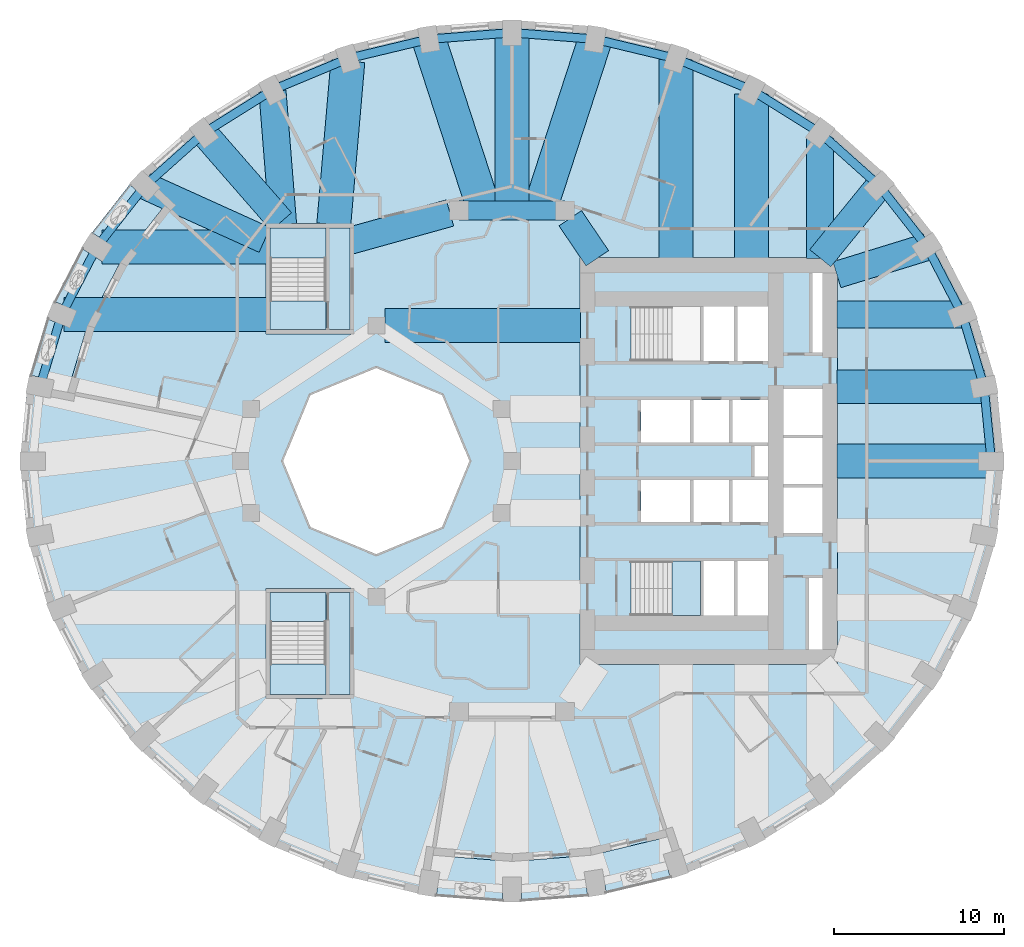
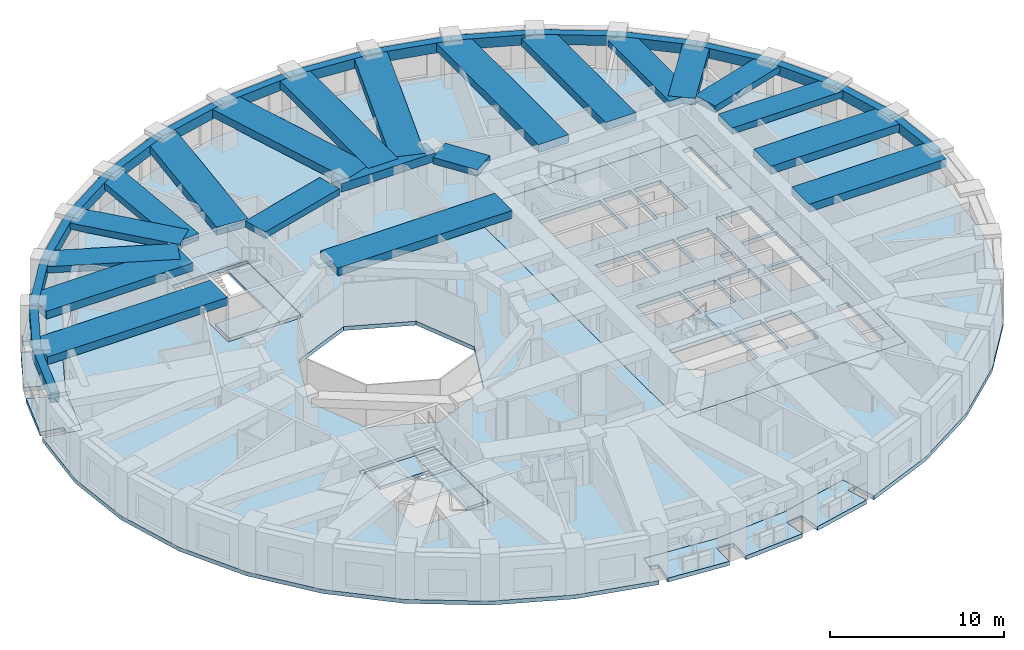
# One storey, part 2 of 13: 38 beams, 11 slabs, 3 elements without a shape of their own.
"""IFC4 building model written with IfcOpenShell, lengths in metres."""

import ifcopenshell
import ifcopenshell.guid

model = None  # the IFC model being written
_history = None  # IfcOwnerHistory: only IFC2X3 demands one
_inside = {}  # id of a spatial element -> (the spatial element, [elements in it])
_under = {}  # id of a project, library or spatial element -> (it, [spatial elements below it])
_declared = {}  # id of a project -> (the project, [libraries it declares])
_typed = {}  # id of a type object -> (the type object, [elements of that type])
_made_of = {}  # id of a material, layer set ... -> (it, [elements and type objects made of it])


def new_model(schema):
    """Start an empty IFC model of exactly this schema.

    Asked for "IFC4X3", IfcOpenShell would pick the latest addendum, in which some entities
    have other attributes; the version numbers below select the first issue.
    IFC2X3 requires an IfcOwnerHistory on every rooted entity: one is made here for all.
    """
    global model, _history
    if schema == "IFC4X3":
        model = ifcopenshell.file(schema_version=(4, 3, 0, 0))
    else:
        model = ifcopenshell.file(schema=schema)
    _inside.clear()
    _under.clear()
    _declared.clear()
    _typed.clear()
    _made_of.clear()
    _history = None
    if model.schema == "IFC2X3":
        org = make("IfcOrganization", Name="unknown")
        user = make(
            "IfcPersonAndOrganization",
            ThePerson=make("IfcPerson", FamilyName="unknown"),
            TheOrganization=org,
        )
        app = make(
            "IfcApplication",
            ApplicationDeveloper=org,
            Version="unknown",
            ApplicationFullName="unknown",
            ApplicationIdentifier="unknown",
        )
        _history = make(
            "IfcOwnerHistory",
            OwningUser=user,
            OwningApplication=app,
            ChangeAction="ADDED",
            CreationDate=0,
        )
    return model


def make(cls, **values):
    """One entity of the class cls with the attributes given. An attribute that is None is left unset."""
    return model.create_entity(
        cls, **{name: value for name, value in values.items() if value is not None}
    )


def rooted(cls, **values):
    """An entity with a GlobalId (a new one), such as an element, a storey or a relation."""
    return make(cls, GlobalId=ifcopenshell.guid.new(), OwnerHistory=_history, **values)


def si_unit(unit_type, name, prefix=None):
    """IfcSIUnit, for example si_unit("LENGTHUNIT", "METRE", prefix="MILLI")."""
    return make("IfcSIUnit", UnitType=unit_type, Prefix=prefix, Name=name)


def assignment(units):
    """IfcUnitAssignment: the units of a project."""
    return None if units is None else make("IfcUnitAssignment", Units=units)


def point(xyz):
    """IfcCartesianPoint."""
    return None if xyz is None else make("IfcCartesianPoint", Coordinates=xyz)


def direction(xyz):
    """IfcDirection."""
    return None if xyz is None else make("IfcDirection", DirectionRatios=xyz)


def frame(location, z_axis=None, x_axis=None):
    """IfcAxis2Placement3D, a coordinate frame: its origin and axes. An axis left out is left unset."""
    return make(
        "IfcAxis2Placement3D",
        Location=point(location),
        Axis=direction(z_axis),
        RefDirection=direction(x_axis),
    )


def frame_2d(location, x_axis=None):
    """IfcAxis2Placement2D, a coordinate frame in the plane: its origin and x axis."""
    return make(
        "IfcAxis2Placement2D", Location=point(location), RefDirection=direction(x_axis)
    )


def origin():
    """The frame at (0, 0, 0) with its axes left unset."""
    return frame((0.0, 0.0, 0.0))


def origin_2d():
    """The frame at (0, 0) in the plane with its x axis left unset."""
    return frame_2d((0.0, 0.0))


def place(relative_to, where):
    """IfcLocalPlacement: puts the frame where relative to a parent placement (None: the world)."""
    return make(
        "IfcLocalPlacement", PlacementRelTo=relative_to, RelativePlacement=where
    )


def context(
    kind, dimensions, precision=None, world=None, true_north=None, identifier=None
):
    """IfcGeometricRepresentationContext, for example the 3D "Model" context."""
    return make(
        "IfcGeometricRepresentationContext",
        ContextIdentifier=identifier,
        ContextType=kind,
        CoordinateSpaceDimension=dimensions,
        Precision=precision,
        WorldCoordinateSystem=world,
        TrueNorth=true_north,
    )


def subcontext(parent, identifier, kind, view, scale=None):
    """IfcGeometricRepresentationSubContext, for example "Body" below "Model"."""
    return make(
        "IfcGeometricRepresentationSubContext",
        ContextIdentifier=identifier,
        ContextType=kind,
        ParentContext=parent,
        TargetScale=scale,
        TargetView=view,
    )


def project(units=None, contexts=None):
    """IfcProject with its units and contexts."""
    return rooted(
        "IfcProject",
        Name="project",
        RepresentationContexts=contexts,
        UnitsInContext=assignment(units),
    )


def spatial(cls, under=None, at=None, **own):
    """A site, building, storey or space (cls), placed at a placement, below another one or the project."""
    s = rooted(cls, ObjectPlacement=at, **own)
    if under is not None:
        _under.setdefault(under.id(), (under, []))[1].append(s)
    return s


def polyline(points):
    """IfcPolyline through the points."""
    return make("IfcPolyline", Points=[point(p) for p in points])


def profile(cls, at=None, kind="AREA", **sizes):
    """A parametric profile (cls). Its sizes go by their IFC names, for example OverallWidth=200.0."""
    return make(cls, ProfileType=kind, Position=at, **sizes)


def rectangle(**sizes):
    """IfcRectangleProfileDef."""
    return profile("IfcRectangleProfileDef", **sizes)


def outline(outer, holes=None, kind="AREA"):
    """IfcArbitraryClosedProfileDef: a profile drawn as a closed curve; with holes, ...WithVoids."""
    if holes is None:
        return make("IfcArbitraryClosedProfileDef", ProfileType=kind, OuterCurve=outer)
    return make(
        "IfcArbitraryProfileDefWithVoids",
        ProfileType=kind,
        OuterCurve=outer,
        InnerCurves=holes,
    )


def extrude(swept, where, along, depth):
    """IfcExtrudedAreaSolid: the profile swept, set in the frame where, extruded along a direction by depth."""
    return make(
        "IfcExtrudedAreaSolid",
        SweptArea=swept,
        Position=where,
        ExtrudedDirection=direction(along),
        Depth=depth,
    )


def shape(context_of_items, identifier, shape_type, items):
    """IfcShapeRepresentation: the items that make up one representation, for example the "Body"."""
    return make(
        "IfcShapeRepresentation",
        ContextOfItems=context_of_items,
        RepresentationIdentifier=identifier,
        RepresentationType=shape_type,
        Items=items,
    )


def material(Name=None, Category=None):
    """IfcMaterial."""
    return make("IfcMaterial", Name=Name, Category=Category)


def layer(
    of_material, thickness, ventilated=None, Name=None, Category=None, Priority=None
):
    """IfcMaterialLayer: one layer of a wall or slab, of a material (None: an air gap)."""
    return make(
        "IfcMaterialLayer",
        Material=of_material,
        LayerThickness=thickness,
        IsVentilated=ventilated,
        Name=Name,
        Category=Category,
        Priority=Priority,
    )


def layer_set(layers, Name=None):
    """IfcMaterialLayerSet."""
    return make("IfcMaterialLayerSet", MaterialLayers=layers, LayerSetName=Name)


def material_profile(
    of_material, cross_section, Name=None, Category=None, Priority=None
):
    """IfcMaterialProfile: a cross section and its material."""
    return make(
        "IfcMaterialProfile",
        Name=Name,
        Material=of_material,
        Profile=cross_section,
        Priority=Priority,
        Category=Category,
    )


def profile_set(profiles, Name=None, composite=None):
    """IfcMaterialProfileSet."""
    return make(
        "IfcMaterialProfileSet",
        Name=Name,
        MaterialProfiles=profiles,
        CompositeProfile=composite,
    )


def made_of(thing, what):
    """Note that an element or type object is made of a material, layer set ...; save() writes the relation."""
    if what is not None:
        _made_of.setdefault(what.id(), (what, []))[1].append(thing)
    return thing


def type_object(cls, material=None, **own):
    """A type object (cls), such as IfcWallType, which elements share."""
    return made_of(rooted(cls, **own), material)


def element(
    cls,
    number,
    at=None,
    inside=None,
    cuts=None,
    type_object=None,
    material=None,
    context=None,
    identifier="Body",
    shape_type=None,
    held_by="IfcProductDefinitionShape",
    body=None,
    shapes=None,
    **own,
):
    """One element of the class cls, such as IfcWall. Its Tag is "e" and its number.

    at: its placement. inside: the storey or other place that contains it. cuts: it is an
    opening in that element (IfcRelVoidsElement). A single representation is given by context,
    identifier, shape_type and body (its items); several are given by shapes. held_by: the class
    of the entity that holds the representations. save() writes the other relations.
    """
    e = rooted(cls, Tag="e%d" % number, ObjectPlacement=at, **own)
    if body is not None:
        shapes = [shape(context, identifier, shape_type, body)]
    if shapes is not None:
        e.Representation = make(held_by, Representations=shapes)
    if inside is not None:
        _inside.setdefault(inside.id(), (inside, []))[1].append(e)
    if cuts is not None:
        rooted(
            "IfcRelVoidsElement", RelatingBuildingElement=cuts, RelatedOpeningElement=e
        )
    if type_object is not None:
        _typed.setdefault(type_object.id(), (type_object, []))[1].append(e)
    return made_of(e, material)


def aggregate(whole, parts):
    """IfcRelAggregates: a whole, such as a stair, and the parts it consists of."""
    return rooted("IfcRelAggregates", RelatingObject=whole, RelatedObjects=parts)


def save(model, path):
    """Write the relations noted so far, then the file.

    IfcRelAggregates (storeys below a building ...), IfcRelContainedInSpatialStructure (elements
    in a storey), IfcRelDefinesByType, IfcRelAssociatesMaterial and IfcRelDeclares: one each for
    every whole, place, type object, material and project.
    """
    for whole, parts in _under.values():
        aggregate(whole, parts)
    for where, things in _inside.values():
        rooted(
            "IfcRelContainedInSpatialStructure",
            RelatedElements=things,
            RelatingStructure=where,
        )
    for kind, things in _typed.values():
        rooted("IfcRelDefinesByType", RelatedObjects=things, RelatingType=kind)
    for what, things in _made_of.values():
        rooted("IfcRelAssociatesMaterial", RelatedObjects=things, RelatingMaterial=what)
    for by, libraries in _declared.values():
        rooted("IfcRelDeclares", RelatingContext=by, RelatedDefinitions=libraries)
    model.write(path)


model = new_model("IFC4")

# Units and contexts
model_context = context("Model", 3, precision=1e-05, world=origin(), true_north=direction((0.0, 1.0)))
body_context = subcontext(model_context, "Body", "Model", "MODEL_VIEW")
ifc_project = project(units=[si_unit("LENGTHUNIT", "METRE"), si_unit("AREAUNIT", "SQUARE_METRE"), si_unit("VOLUMEUNIT", "CUBIC_METRE"), si_unit("PLANEANGLEUNIT", "RADIAN"), si_unit("MASSUNIT", "GRAM", prefix="KILO")], contexts=[model_context])

# Site, building, storey
site_placement = place(None, origin())
site = spatial("IfcSite", under=ifc_project, at=site_placement, CompositionType="ELEMENT")
building_placement = place(site_placement, origin())
building = spatial("IfcBuilding", under=site, at=building_placement, Name="Taillehof Tower", CompositionType="ELEMENT")
storey_placement = place(building_placement, frame((0.0, 0.0, 71.199951171875)))
storey = spatial("IfcBuildingStorey", under=building, at=storey_placement, Name="L19", CompositionType="ELEMENT", Elevation=71.199951171875)

# Beams
ifc_material_1 = material(Name="Concrete C50/60", Category="concrete")
ifc_material_profile_1 = material_profile(ifc_material_1, rectangle(XDim=1.10009765625, YDim=0.60009765625, at=origin_2d()), Name="RC 1100x600")
ifc_profile_set_1 = profile_set([ifc_material_profile_1], Name="Concrete C50/60")
beam_type_1 = type_object("IfcBeamType", Name="Mid-ring beam C50/60 1100x600", PredefinedType="BEAM", material=ifc_profile_set_1)
beam_1_placement = place(storey_placement, frame((3.125732421875, 14.772216796875, 2.719970703125), z_axis=(-1.0, 0.0, 0.0), x_axis=(0.0, -1.0, 0.0)))
element("IfcBeam", 1, at=beam_1_placement, inside=storey, type_object=beam_type_1, Name="Mid-ring beam MB01", PredefinedType="BEAM", context=body_context, shape_type="SweptSolid", body=[
    extrude(rectangle(XDim=1.10009765625, YDim=0.60009765625, at=origin_2d()), origin(), (0.0, 0.0, 1.0), 6.25146484375),
])
ifc_material_2 = material(Name="Concrete C50/60", Category="concrete")
ifc_material_profile_2 = material_profile(ifc_material_2, rectangle(XDim=1.60009765625, YDim=0.449951171875, at=origin_2d()), Name="RC 1600x450")
ifc_profile_set_2 = profile_set([ifc_material_profile_2], Name="Concrete C50/60")
beam_type_2 = type_object("IfcBeamType", Name="Radial band beam C50/60 1600x450", PredefinedType="BEAM", material=ifc_profile_set_2)
beam_2_placement = place(storey_placement, frame((26.490478515625, 8.635986328125, 2.795166015625), z_axis=(-1.0, 0.0, 0.0), x_axis=(0.0, -1.0, 0.0)))
element("IfcBeam", 2, at=beam_2_placement, inside=storey, type_object=beam_type_2, Name="Radial band beam RB03", PredefinedType="BEAM", context=body_context, shape_type="SweptSolid", body=[
    extrude(rectangle(XDim=1.60009765625, YDim=0.449951171875, at=origin_2d()), origin(), (0.0, 0.0, 1.0), 7.340576171875),
])
beam_3_placement = place(storey_placement, frame((24.46533203125, 12.625, 2.795166015625), z_axis=(-0.955535654338, -0.294875589511, 0.0), x_axis=(0.294875589511, -0.955535654338, 0.0)))
element("IfcBeam", 3, at=beam_3_placement, inside=storey, type_object=beam_type_2, Name="Radial band beam RB04", PredefinedType="BEAM", context=body_context, shape_type="SweptSolid", body=[
    extrude(rectangle(XDim=1.60009765625, YDim=0.449951171875, at=origin_2d()), origin(), (0.0, 0.0, 1.0), 5.560546875),
])
beam_4_placement = place(storey_placement, frame((21.640869140625, 16.23046875, 2.795166015625), z_axis=(-0.630988373846, -0.775792286679, 0.0), x_axis=(0.775792286679, -0.630988373846, 0.0)))
element("IfcBeam", 4, at=beam_4_placement, inside=storey, type_object=beam_type_2, Name="Radial band beam RB05", PredefinedType="BEAM", context=body_context, shape_type="SweptSolid", body=[
    extrude(rectangle(XDim=1.60009765625, YDim=0.449951171875, at=origin_2d()), origin(), (0.0, 0.0, 1.0), 5.503173828125),
])
beam_5_placement = place(storey_placement, frame((18.15869140625, 19.05517578125, 2.795166015625), z_axis=(0.0, -1.0, 0.0), x_axis=(1.0, 0.0, 0.0)))
element("IfcBeam", 5, at=beam_5_placement, inside=storey, type_object=beam_type_2, Name="Radial band beam RB06", PredefinedType="BEAM", context=body_context, shape_type="SweptSolid", body=[
    extrude(rectangle(XDim=1.60009765625, YDim=0.449951171875, at=origin_2d()), origin(), (0.0, 0.0, 1.0), 7.105224609375),
])
beam_6_placement = place(storey_placement, frame((-14.119873046875, 21.802978515625, 2.795166015625), z_axis=(0.079184740988, -0.996859958467, 0.0), x_axis=(0.996859958467, 0.079184740988, 0.0)))
element("IfcBeam", 6, at=beam_6_placement, inside=storey, type_object=beam_type_2, Name="Radial band beam RB13", PredefinedType="BEAM", context=body_context, shape_type="SweptSolid", body=[
    extrude(rectangle(XDim=1.60009765625, YDim=0.449951171875, at=origin_2d()), origin(), (0.0, 0.0, 1.0), 7.87744140625),
])
beam_7_placement = place(storey_placement, frame((-18.15869140625, 19.342529296875, 2.795166015625), z_axis=(0.65721824087, -0.753700327628, 0.0), x_axis=(0.753700327628, 0.65721824087, 0.0)))
element("IfcBeam", 7, at=beam_7_placement, inside=storey, type_object=beam_type_2, Name="Radial band beam RB14", PredefinedType="BEAM", context=body_context, shape_type="SweptSolid", body=[
    extrude(rectangle(XDim=1.60009765625, YDim=0.449951171875, at=origin_2d()), origin(), (0.0, 0.0, 1.0), 6.9384765625),
])
beam_8_placement = place(storey_placement, frame((-21.632568359375, 16.226806640625, 2.795166015625), z_axis=(0.911100590789, -0.412184077161, 0.0), x_axis=(0.412184077161, 0.911100590789, 0.0)))
element("IfcBeam", 8, at=beam_8_placement, inside=storey, type_object=beam_type_2, Name="Radial band beam RB15", PredefinedType="BEAM", context=body_context, shape_type="SweptSolid", body=[
    extrude(rectangle(XDim=1.60009765625, YDim=0.449951171875, at=origin_2d()), origin(), (0.0, 0.0, 1.0), 7.740966796875),
])
beam_9_placement = place(storey_placement, frame((3.433837890625, 14.31640625, 2.795166015625), z_axis=(0.560112043398, -0.828416862962, 0.0), x_axis=(0.828416862962, 0.560112043398, 0.0)))
element("IfcBeam", 9, at=beam_9_placement, inside=storey, type_object=beam_type_2, Name="Inner band beam IB205", PredefinedType="BEAM", context=body_context, shape_type="SweptSolid", body=[
    extrude(rectangle(XDim=1.60009765625, YDim=0.449951171875, at=origin_2d()), origin(), (0.0, 0.0, 1.0), 2.84619140625),
])
beam_10_placement = place(storey_placement, frame((-3.655517578125, 14.624755859375, 2.795166015625), z_axis=(-0.963459369536, -0.267854518821, 0.0), x_axis=(0.267854518821, -0.963459369536, 0.0)))
element("IfcBeam", 10, at=beam_10_placement, inside=storey, type_object=beam_type_2, Name="Inner band beam IB206", PredefinedType="BEAM", context=body_context, shape_type="SweptSolid", body=[
    extrude(rectangle(XDim=1.60009765625, YDim=0.449951171875, at=origin_2d()), origin(), (0.0, 0.0, 1.0), 6.096923828125),
])
ifc_material_3 = material(Name="Concrete C50/60", Category="concrete")
ifc_material_profile_3 = material_profile(ifc_material_3, rectangle(XDim=2.0, YDim=0.550048828125, at=origin_2d()), Name="RC 2000x550")
ifc_profile_set_3 = profile_set([ifc_material_profile_3], Name="Concrete C50/60")
beam_type_3 = type_object("IfcBeamType", Name="Radial band beam C50/60 2000x550", PredefinedType="BEAM", material=ifc_profile_set_3)
beam_11_placement = place(storey_placement, frame((28.25, 0.0, 2.7451171875), z_axis=(-1.0, 0.0, 0.0), x_axis=(0.0, -1.0, 0.0)))
element("IfcBeam", 11, at=beam_11_placement, inside=storey, type_object=beam_type_3, Name="Radial band beam RB01", PredefinedType="BEAM", context=body_context, shape_type="SweptSolid", body=[
    extrude(rectangle(XDim=2.0, YDim=0.550048828125, at=origin_2d()), origin(), (0.0, 0.0, 1.0), 9.10009765625),
])
beam_12_placement = place(storey_placement, frame((27.82080078125, 4.384521484375, 2.7451171875), z_axis=(-1.0, 0.0, 0.0), x_axis=(0.0, -1.0, 0.0)))
element("IfcBeam", 12, at=beam_12_placement, inside=storey, type_object=beam_type_3, Name="Radial band beam RB02", PredefinedType="BEAM", context=body_context, shape_type="SweptSolid", body=[
    extrude(rectangle(XDim=2.0, YDim=0.550048828125, at=origin_2d()), origin(), (0.0, 0.0, 1.0), 8.6708984375),
])
beam_13_placement = place(storey_placement, frame((14.125, 21.63232421875, 2.7451171875), z_axis=(0.0, -1.0, 0.0), x_axis=(1.0, 0.0, 0.0)))
element("IfcBeam", 13, at=beam_13_placement, inside=storey, type_object=beam_type_3, Name="Radial band beam RB07", PredefinedType="BEAM", context=body_context, shape_type="SweptSolid", body=[
    extrude(rectangle(XDim=2.0, YDim=0.550048828125, at=origin_2d()), origin(), (0.0, 0.0, 1.0), 9.682373046875),
])
beam_14_placement = place(storey_placement, frame((9.662109375, 23.664794921875, 2.7451171875), z_axis=(0.0, -1.0, 0.0), x_axis=(1.0, 0.0, 0.0)))
element("IfcBeam", 14, at=beam_14_placement, inside=storey, type_object=beam_type_3, Name="Radial band beam RB08", PredefinedType="BEAM", context=body_context, shape_type="SweptSolid", body=[
    extrude(rectangle(XDim=2.0, YDim=0.550048828125, at=origin_2d()), origin(), (0.0, 0.0, 1.0), 11.71484375),
])
beam_15_placement = place(storey_placement, frame((4.905517578125, 24.866455078125, 2.7451171875), z_axis=(-0.309014294595, -0.951057393503, 0.0), x_axis=(0.951057393503, -0.309014294595, 0.0)))
element("IfcBeam", 15, at=beam_15_placement, inside=storey, type_object=beam_type_3, Name="Radial band beam RB09", PredefinedType="BEAM", context=body_context, shape_type="SweptSolid", body=[
    extrude(rectangle(XDim=2.0, YDim=0.550048828125, at=origin_2d()), origin(), (0.0, 0.0, 1.0), 10.61376953125),
])
beam_16_placement = place(storey_placement, frame((0.0, 25.25, 2.7451171875), z_axis=(0.0, -1.0, 0.0), x_axis=(1.0, 0.0, 0.0)))
element("IfcBeam", 16, at=beam_16_placement, inside=storey, type_object=beam_type_3, Name="Radial band beam RB10", PredefinedType="BEAM", context=body_context, shape_type="SweptSolid", body=[
    extrude(rectangle(XDim=2.0, YDim=0.550048828125, at=origin_2d()), origin(), (0.0, 0.0, 1.0), 10.477783203125),
])
beam_17_placement = place(storey_placement, frame((-4.905517578125, 24.866455078125, 2.7451171875), z_axis=(0.309014294595, -0.951057393503, 0.0), x_axis=(0.951057393503, 0.309014294595, 0.0)))
element("IfcBeam", 17, at=beam_17_placement, inside=storey, type_object=beam_type_3, Name="Radial band beam RB11", PredefinedType="BEAM", context=body_context, shape_type="SweptSolid", body=[
    extrude(rectangle(XDim=2.0, YDim=0.550048828125, at=origin_2d()), origin(), (0.0, 0.0, 1.0), 10.61376953125),
])
beam_18_placement = place(storey_placement, frame((-9.675048828125, 23.575927734375, 2.7451171875), z_axis=(-0.085841202752, -0.996308831593, 0.0), x_axis=(0.996308831593, -0.085841202752, 0.0)))
element("IfcBeam", 18, at=beam_18_placement, inside=storey, type_object=beam_type_3, Name="Radial band beam RB12", PredefinedType="BEAM", context=body_context, shape_type="SweptSolid", body=[
    extrude(rectangle(XDim=2.0, YDim=0.550048828125, at=origin_2d()), origin(), (0.0, 0.0, 1.0), 9.661376953125),
])
beam_19_placement = place(storey_placement, frame((-24.172607421875, 12.625, 2.7451171875), z_axis=(1.0, 0.0, 0.0), x_axis=(0.0, 1.0, 0.0)))
element("IfcBeam", 19, at=beam_19_placement, inside=storey, type_object=beam_type_3, Name="Radial band beam RB16", PredefinedType="BEAM", context=body_context, shape_type="SweptSolid", body=[
    extrude(rectangle(XDim=2.0, YDim=0.550048828125, at=origin_2d()), origin(), (0.0, 0.0, 1.0), 9.72265625),
])
beam_20_placement = place(storey_placement, frame((-26.408935546875, 8.635986328125, 2.7451171875), z_axis=(1.0, 0.0, 0.0), x_axis=(0.0, 1.0, 0.0)))
element("IfcBeam", 20, at=beam_20_placement, inside=storey, type_object=beam_type_3, Name="Radial band beam RB17", PredefinedType="BEAM", context=body_context, shape_type="SweptSolid", body=[
    extrude(rectangle(XDim=2.0, YDim=0.550048828125, at=origin_2d()), origin(), (0.0, 0.0, 1.0), 11.958984375),
])
beam_21_placement = place(storey_placement, frame((-7.5, 8.0, 2.7451171875), z_axis=(1.0, 0.0, 0.0), x_axis=(0.0, 1.0, 0.0)))
element("IfcBeam", 21, at=beam_21_placement, inside=storey, type_object=beam_type_3, Name="Inner band beam IB105", PredefinedType="BEAM", context=body_context, shape_type="SweptSolid", body=[
    extrude(rectangle(XDim=2.0, YDim=0.550048828125, at=origin_2d()), origin(), (0.0, 0.0, 1.0), 11.550048828125),
])
ifc_material_4 = material(Name="Concrete C50/60", Category="concrete")
ifc_material_profile_4 = material_profile(ifc_material_4, rectangle(XDim=0.5, YDim=0.699951171875, at=origin_2d()), Name="RC 500x700")
ifc_profile_set_4 = profile_set([ifc_material_profile_4], Name="Concrete C50/60")
beam_type_4 = type_object("IfcBeamType", Name="Spandrel beam C50/60 500x700", PredefinedType="SPANDREL", material=ifc_profile_set_4)
beam_22_placement = place(storey_placement, frame((28.25, 0.0, 2.670166015625), z_axis=(-0.097423973567, 0.99524297002, 0.0), x_axis=(-0.99524297002, -0.097423973567, 0.0)))
element("IfcBeam", 22, at=beam_22_placement, inside=storey, type_object=beam_type_4, Name="Spandrel beam SB01", PredefinedType="SPANDREL", context=body_context, shape_type="SweptSolid", body=[
    extrude(rectangle(XDim=0.5, YDim=0.699951171875, at=origin_2d()), origin(), (0.0, 0.0, 1.0), 4.405517578125),
])
beam_23_placement = place(storey_placement, frame((27.82080078125, 4.384521484375, 2.670166015625), z_axis=(-0.287135925407, 0.957889847707, 0.0), x_axis=(-0.957889847707, -0.287135925407, 0.0)))
element("IfcBeam", 23, at=beam_23_placement, inside=storey, type_object=beam_type_4, Name="Spandrel beam SB02", PredefinedType="SPANDREL", context=body_context, shape_type="SweptSolid", body=[
    extrude(rectangle(XDim=0.5, YDim=0.699951171875, at=origin_2d()), origin(), (0.0, 0.0, 1.0), 4.4384765625),
])
beam_24_placement = place(storey_placement, frame((26.54638671875, 8.635986328125, 2.670166015625), z_axis=(-0.462536335232, 0.886600326297, 0.0), x_axis=(-0.886600326297, -0.462536335232, 0.0)))
element("IfcBeam", 24, at=beam_24_placement, inside=storey, type_object=beam_type_4, Name="Spandrel beam SB03", PredefinedType="SPANDREL", context=body_context, shape_type="SweptSolid", body=[
    extrude(rectangle(XDim=0.5, YDim=0.699951171875, at=origin_2d()), origin(), (0.0, 0.0, 1.0), 4.499267578125),
])
beam_25_placement = place(storey_placement, frame((24.46533203125, 12.625, 2.670166015625), z_axis=(-0.616686200373, 0.787209076593, 0.0), x_axis=(-0.787209076593, -0.616686200373, 0.0)))
element("IfcBeam", 25, at=beam_25_placement, inside=storey, type_object=beam_type_4, Name="Spandrel beam SB04", PredefinedType="SPANDREL", context=body_context, shape_type="SweptSolid", body=[
    extrude(rectangle(XDim=0.5, YDim=0.699951171875, at=origin_2d()), origin(), (0.0, 0.0, 1.0), 4.580078125),
])
beam_26_placement = place(storey_placement, frame((21.640869140625, 16.23046875, 2.670166015625), z_axis=(-0.745621283614, 0.666369943366, 0.0), x_axis=(-0.666369943366, -0.745621283614, 0.0)))
element("IfcBeam", 26, at=beam_26_placement, inside=storey, type_object=beam_type_4, Name="Spandrel beam SB05", PredefinedType="SPANDREL", context=body_context, shape_type="SweptSolid", body=[
    extrude(rectangle(XDim=0.5, YDim=0.699951171875, at=origin_2d()), origin(), (0.0, 0.0, 1.0), 4.670166015625),
])
beam_27_placement = place(storey_placement, frame((18.15869140625, 19.342529296875, 2.670166015625), z_axis=(-0.847658018883, 0.530543007703, 0.0), x_axis=(-0.530543007703, -0.847658018883, 0.0)))
element("IfcBeam", 27, at=beam_27_placement, inside=storey, type_object=beam_type_4, Name="Spandrel beam SB06", PredefinedType="SPANDREL", context=body_context, shape_type="SweptSolid", body=[
    extrude(rectangle(XDim=0.5, YDim=0.699951171875, at=origin_2d()), origin(), (0.0, 0.0, 1.0), 4.758544921875),
])
beam_28_placement = place(storey_placement, frame((14.125, 21.8671875, 2.670166015625), z_axis=(-0.923035088053, 0.384715773297, 0.0), x_axis=(-0.384715773297, -0.923035088053, 0.0)))
element("IfcBeam", 28, at=beam_28_placement, inside=storey, type_object=beam_type_4, Name="Spandrel beam SB07", PredefinedType="SPANDREL", context=body_context, shape_type="SweptSolid", body=[
    extrude(rectangle(XDim=0.5, YDim=0.699951171875, at=origin_2d()), origin(), (0.0, 0.0, 1.0), 4.8349609375),
])
beam_29_placement = place(storey_placement, frame((9.662109375, 23.727294921875, 2.670166015625), z_axis=(-0.9724995553, 0.232904733616, 0.0), x_axis=(-0.232904733616, -0.9724995553, 0.0)))
element("IfcBeam", 29, at=beam_29_placement, inside=storey, type_object=beam_type_4, Name="Spandrel beam SB08", PredefinedType="SPANDREL", context=body_context, shape_type="SweptSolid", body=[
    extrude(rectangle(XDim=0.5, YDim=0.699951171875, at=origin_2d()), origin(), (0.0, 0.0, 1.0), 4.89111328125),
])
for number, where, z_axis, x_axis, name in (
    (30, (4.905517578125, 24.866455078125, 2.670166015625), (-0.996957383661, 0.077948541767, 0.0), (-0.077948541767, -0.996957383661, 0.0), "Spandrel beam SB09"),
    (31, (0.0, 25.25, 2.670166015625), (-0.996957383661, -0.077948541767, 0.0), (0.077948541767, -0.996957383661, 0.0), "Spandrel beam SB10"),
):
    element("IfcBeam", number, at=place(storey_placement, frame(where, z_axis=z_axis, x_axis=x_axis)), inside=storey, type_object=beam_type_4, Name=name, PredefinedType="SPANDREL", context=body_context, shape_type="SweptSolid", body=[
        extrude(rectangle(XDim=0.5, YDim=0.699951171875, at=origin_2d()), origin(), (0.0, 0.0, 1.0), 4.92041015625),
    ])
beam_30_placement = place(storey_placement, frame((-4.905517578125, 24.866455078125, 2.670166015625), z_axis=(-0.9724995553, -0.232904733616, 0.0), x_axis=(0.232904733616, -0.9724995553, 0.0)))
element("IfcBeam", 32, at=beam_30_placement, inside=storey, type_object=beam_type_4, Name="Spandrel beam SB11", PredefinedType="SPANDREL", context=body_context, shape_type="SweptSolid", body=[
    extrude(rectangle(XDim=0.5, YDim=0.699951171875, at=origin_2d()), origin(), (0.0, 0.0, 1.0), 4.89111328125),
])
beam_31_placement = place(storey_placement, frame((-9.662109375, 23.727294921875, 2.670166015625), z_axis=(-0.923035088053, -0.384715773297, 0.0), x_axis=(0.384715773297, -0.923035088053, 0.0)))
element("IfcBeam", 33, at=beam_31_placement, inside=storey, type_object=beam_type_4, Name="Spandrel beam SB12", PredefinedType="SPANDREL", context=body_context, shape_type="SweptSolid", body=[
    extrude(rectangle(XDim=0.5, YDim=0.699951171875, at=origin_2d()), origin(), (0.0, 0.0, 1.0), 4.8349609375),
])
beam_32_placement = place(storey_placement, frame((-14.125, 21.8671875, 2.670166015625), z_axis=(-0.847658018883, -0.530543007703, 0.0), x_axis=(0.530543007703, -0.847658018883, 0.0)))
element("IfcBeam", 34, at=beam_32_placement, inside=storey, type_object=beam_type_4, Name="Spandrel beam SB13", PredefinedType="SPANDREL", context=body_context, shape_type="SweptSolid", body=[
    extrude(rectangle(XDim=0.5, YDim=0.699951171875, at=origin_2d()), origin(), (0.0, 0.0, 1.0), 4.758544921875),
])
beam_33_placement = place(storey_placement, frame((-18.15869140625, 19.342529296875, 2.670166015625), z_axis=(-0.745621283614, -0.666369943366, 0.0), x_axis=(0.666369943366, -0.745621283614, 0.0)))
element("IfcBeam", 35, at=beam_33_placement, inside=storey, type_object=beam_type_4, Name="Spandrel beam SB14", PredefinedType="SPANDREL", context=body_context, shape_type="SweptSolid", body=[
    extrude(rectangle(XDim=0.5, YDim=0.699951171875, at=origin_2d()), origin(), (0.0, 0.0, 1.0), 4.670166015625),
])
beam_34_placement = place(storey_placement, frame((-21.640869140625, 16.23046875, 2.670166015625), z_axis=(-0.616686200373, -0.787209076593, 0.0), x_axis=(0.787209076593, -0.616686200373, 0.0)))
element("IfcBeam", 36, at=beam_34_placement, inside=storey, type_object=beam_type_4, Name="Spandrel beam SB15", PredefinedType="SPANDREL", context=body_context, shape_type="SweptSolid", body=[
    extrude(rectangle(XDim=0.5, YDim=0.699951171875, at=origin_2d()), origin(), (0.0, 0.0, 1.0), 4.580078125),
])
beam_35_placement = place(storey_placement, frame((-24.46533203125, 12.625, 2.670166015625), z_axis=(-0.462536335232, -0.886600326297, 0.0), x_axis=(0.886600326297, -0.462536335232, 0.0)))
element("IfcBeam", 37, at=beam_35_placement, inside=storey, type_object=beam_type_4, Name="Spandrel beam SB16", PredefinedType="SPANDREL", context=body_context, shape_type="SweptSolid", body=[
    extrude(rectangle(XDim=0.5, YDim=0.699951171875, at=origin_2d()), origin(), (0.0, 0.0, 1.0), 4.499267578125),
])
beam_36_placement = place(storey_placement, frame((-26.54638671875, 8.635986328125, 2.670166015625), z_axis=(-0.287135925407, -0.957889847707, 0.0), x_axis=(0.957889847707, -0.287135925407, 0.0)))
element("IfcBeam", 38, at=beam_36_placement, inside=storey, type_object=beam_type_4, Name="Spandrel beam SB17", PredefinedType="SPANDREL", context=body_context, shape_type="SweptSolid", body=[
    extrude(rectangle(XDim=0.5, YDim=0.699951171875, at=origin_2d()), origin(), (0.0, 0.0, 1.0), 4.4384765625),
])

# Slabs
ifc_material_5 = material(Name="Concrete C40/50", Category="concrete")
ifc_layer_1 = layer(ifc_material_5, 0.280029296875)
ifc_layer_set_1 = layer_set([ifc_layer_1], Name="Balcony slab 280")
slab_type_1 = type_object("IfcSlabType", Name="Balcony slab 280", PredefinedType="USERDEFINED", material=ifc_layer_set_1)
slab_1_placement = place(storey_placement, frame((0.0, 0.0, -0.280029296875)))
element("IfcSlab", 39, at=slab_1_placement, inside=storey, type_object=slab_type_1, Name="Balcony L19 pocket 8", ObjectType="BALCONY", PredefinedType="USERDEFINED", context=body_context, shape_type="SweptSolid", body=[
    extrude(outline(polyline([(9.174072265625, -22.150390625), (9.453369140625, -23.00634765625), (8.906494140625, -23.184814453125), (9.357421875, -24.56689453125), (5.559326171875, -25.479248046875), (5.331787109375, -24.039794921875), (4.2451171875, -24.21142578125), (4.472412109375, -25.649169921875), (0.550048828125, -25.956787109375), (0.550048828125, -24.5), (-0.550048828125, -24.5), (-0.550048828125, -25.956787109375), (-4.472412109375, -25.649169921875), (-4.2451171875, -24.21142578125), (-4.801513671875, -24.12353515625), (-4.6611328125, -23.234375), (0.0, -23.60009765625), (4.6611328125, -23.234375), (9.174072265625, -22.150390625)])), origin(), (0.0, 0.0, 1.0), 0.280029296875),
])
slab_2_placement = place(storey_placement, frame((0.0, 0.0, -0.280029296875)))
element("IfcSlab", 40, at=slab_2_placement, inside=storey, type_object=slab_type_1, Name="Balcony L19 pocket 4", ObjectType="BALCONY", PredefinedType="USERDEFINED", context=body_context, shape_type="SweptSolid", body=[
    extrude(outline(polyline([(-26.20458984375, 4.0517578125), (-27.087646484375, 4.225341796875), (-26.978759765625, 4.779541015625), (-28.39697265625, 5.058349609375), (-27.4013671875, 8.3896484375), (-26.058349609375, 7.84423828125), (-25.64453125, 8.863525390625), (-26.9833984375, 9.406982421875), (-25.352783203125, 12.54248046875), (-24.13232421875, 11.756591796875), (-23.536865234375, 12.681396484375), (-24.752197265625, 13.464111328125), (-22.530029296875, 16.309326171875), (-21.468994140625, 15.31640625), (-21.120849609375, 15.688232421875), (-20.463134765625, 15.072509765625), (-23.096923828125, 11.70068359375), (-25.02734375, 7.98974609375), (-26.20458984375, 4.0517578125)])), origin(), (0.0, 0.0, 1.0), 0.280029296875),
])
ifc_material_6 = material(Name="Concrete C40/50", Category="concrete")
ifc_layer_2 = layer(ifc_material_6, 0.280029296875)
ifc_layer_set_2 = layer_set([ifc_layer_2], Name="Core floor slab C40/50 280")
slab_type_2 = type_object("IfcSlabType", Name="Core floor slab C40/50 280", PredefinedType="FLOOR", material=ifc_layer_set_2)
slab_3_placement = place(storey_placement, frame((0.0, 0.0, -0.280029296875)))
element("IfcSlab", 41, at=slab_3_placement, inside=storey, type_object=slab_type_2, Name="Core floor L19", PredefinedType="FLOOR", context=body_context, shape_type="SweptSolid", body=[
    extrude(outline(polyline([(4.0, -12.0), (4.0, 12.0), (19.199951171875, 12.0), (19.199951171875, -12.0), (4.0, -12.0)]), holes=[polyline([(7.00048828125, -9.10009765625), (11.10009765625, -9.10009765625), (11.10009765625, -5.89990234375), (7.00048828125, -5.89990234375), (7.00048828125, -9.10009765625)]), polyline([(13.10009765625, -9.10009765625), (13.10009765625, -5.89990234375), (11.300048828125, -5.89990234375), (11.300048828125, -9.10009765625), (13.10009765625, -9.10009765625)]), polyline([(10.5, -3.60009765625), (10.5, -1.10009765625), (7.60009765625, -1.10009765625), (7.60009765625, -3.60009765625), (10.5, -3.60009765625)]), polyline([(12.800048828125, -3.60009765625), (12.800048828125, -1.10009765625), (10.699951171875, -1.10009765625), (10.699951171875, -3.60009765625), (12.800048828125, -3.60009765625)]), polyline([(10.5, 1.10009765625), (10.5, 3.60009765625), (7.60009765625, 3.60009765625), (7.60009765625, 1.10009765625), (10.5, 1.10009765625)]), polyline([(12.800048828125, 1.10009765625), (12.800048828125, 3.60009765625), (10.699951171875, 3.60009765625), (10.699951171875, 1.10009765625), (12.800048828125, 1.10009765625)]), polyline([(15.10009765625, 1.10009765625), (15.10009765625, 3.60009765625), (13.0, 3.60009765625), (13.0, 1.10009765625), (15.10009765625, 1.10009765625)]), polyline([(11.300048828125, 5.89990234375), (13.10009765625, 5.89990234375), (13.10009765625, 9.10009765625), (11.300048828125, 9.10009765625), (11.300048828125, 5.89990234375)]), polyline([(7.00048828125, 5.89990234375), (11.10009765625, 5.89990234375), (11.10009765625, 9.10009765625), (7.00048828125, 9.10009765625), (7.00048828125, 5.89990234375)]), polyline([(18.300048828125, -11.10009765625), (18.300048828125, -6.89990234375), (17.5, -6.89990234375), (17.5, -11.10009765625), (18.300048828125, -11.10009765625)]), polyline([(15.10009765625, -9.10009765625), (15.10009765625, -5.89990234375), (13.300048828125, -5.89990234375), (13.300048828125, -9.10009765625), (15.10009765625, -9.10009765625)]), polyline([(18.300048828125, -4.25), (18.300048828125, -1.550048828125), (16.0, -1.550048828125), (16.0, -4.25), (18.300048828125, -4.25)]), polyline([(15.10009765625, -3.60009765625), (15.10009765625, -1.10009765625), (13.0, -1.10009765625), (13.0, -3.60009765625), (15.10009765625, -3.60009765625)]), polyline([(15.10009765625, -0.89990234375), (15.10009765625, 0.89990234375), (14.300048828125, 0.89990234375), (14.300048828125, -0.89990234375), (15.10009765625, -0.89990234375)]), polyline([(18.300048828125, -1.35009765625), (18.300048828125, 1.35009765625), (16.0, 1.35009765625), (16.0, -1.35009765625), (18.300048828125, -1.35009765625)]), polyline([(18.300048828125, 1.550048828125), (18.300048828125, 4.25), (16.0, 4.25), (16.0, 1.550048828125), (18.300048828125, 1.550048828125)]), polyline([(13.300048828125, 5.89990234375), (15.10009765625, 5.89990234375), (15.10009765625, 9.10009765625), (13.300048828125, 9.10009765625), (13.300048828125, 5.89990234375)]), polyline([(17.699951171875, 6.39990234375), (18.300048828125, 6.39990234375), (18.300048828125, 11.10009765625), (17.699951171875, 11.10009765625), (17.699951171875, 6.39990234375)])]), origin(), (0.0, 0.0, 1.0), 0.280029296875),
])
ifc_material_7 = material(Name="Concrete C40/50", Category="concrete")
ifc_layer_3 = layer(ifc_material_7, 0.280029296875)
ifc_layer_set_3 = layer_set([ifc_layer_3], Name="Floor slab 280")
slab_type_3 = type_object("IfcSlabType", Name="Floor slab 280", PredefinedType="FLOOR", material=ifc_layer_set_3)
slab_4_placement = place(storey_placement, frame((0.0, 0.0, -0.280029296875)))
element("IfcSlab", 42, at=slab_4_placement, inside=storey, type_object=slab_type_3, Name="Floor slab L19", PredefinedType="FLOOR", context=body_context, shape_type="SweptSolid", body=[
    extrude(outline(polyline([(29.0, 0.0), (28.559326171875, 4.514892578125), (27.251220703125, 8.892578125), (25.11474609375, 13.0), (22.21533203125, 16.71240234375), (18.640869140625, 19.917236328125), (14.5, 22.5166015625), (9.918701171875, 24.431884765625), (5.035888671875, 25.60498046875), (0.0, 26.0), (-5.035888671875, 25.60498046875), (-9.918701171875, 24.431884765625), (-14.5, 22.5166015625), (-18.640869140625, 19.917236328125), (-22.21533203125, 16.71240234375), (-20.462890625, 15.072509765625), (-23.096923828125, 11.70068359375), (-25.02734375, 7.98974609375), (-26.20458984375, 4.0517578125), (-28.559326171875, 4.514892578125), (-29.0, 0.0), (-28.559326171875, -4.514892578125), (-27.251220703125, -8.892578125), (-25.11474609375, -13.0), (-22.21533203125, -16.71240234375), (-18.640869140625, -19.917236328125), (-14.5, -22.5166015625), (-9.918701171875, -24.431884765625), (-5.035888671875, -25.60498046875), (-4.660888671875, -23.234375), (0.0, -23.60009765625), (4.660888671875, -23.234375), (9.174072265625, -22.150390625), (9.918701171875, -24.431884765625), (14.5, -22.5166015625), (18.640869140625, -19.917236328125), (22.21533203125, -16.71240234375), (25.11474609375, -13.0), (27.251220703125, -8.892578125), (28.559326171875, -4.514892578125), (29.0, 0.0)]), holes=[polyline([(-14.5, -7.5), (-9.5, -7.5), (-9.5, -14.0), (-14.5, -14.0), (-14.5, -7.5)]), polyline([(-8.0, -5.5), (-11.88916015625, -3.88916015625), (-13.5, 0.0), (-11.88916015625, 3.88916015625), (-8.0, 5.5), (-4.11083984375, 3.88916015625), (-2.5, 0.0), (-4.11083984375, -3.88916015625), (-8.0, -5.5)]), polyline([(19.199951171875, 12.0), (19.199951171875, -12.0), (4.0, -12.0), (4.0, 12.0), (19.199951171875, 12.0)]), polyline([(-14.5, 14.0), (-9.5, 14.0), (-9.5, 7.5), (-14.5, 7.5), (-14.5, 14.0)])]), origin(), (0.0, 0.0, 1.0), 0.280029296875),
])

# Stair, slab
ifc_material_8 = material(Name="Concrete C40/50", Category="concrete")
stair_type = type_object("IfcStairType", Name="Exit stair half-turn", PredefinedType="HALF_TURN_STAIR", material=ifc_material_8)
stair_1_placement = place(storey_placement, origin())
stair_1 = element("IfcStair", 43, at=stair_1_placement, inside=storey, type_object=stair_type, Name="Exit stair S2", PredefinedType="HALF_TURN_STAIR")
ifc_material_9 = material(Name="Concrete C40/50", Category="concrete")
ifc_layer_4 = layer(ifc_material_9, 0.2099609375)
ifc_layer_set_4 = layer_set([ifc_layer_4], Name="Stair landing C40/50 210")
slab_type_4 = type_object("IfcSlabType", Name="Stair landing C40/50 210", PredefinedType="LANDING", material=ifc_layer_set_4)
slab_5_placement = place(storey_placement, frame((0.0, 0.0, 1.43994140625)))
slab_5 = element("IfcSlab", 44, at=slab_5_placement, type_object=slab_type_4, Name="S2 landing 1", PredefinedType="LANDING", context=body_context, shape_type="SweptSolid", body=[
    extrude(outline(polyline([(9.429931640625, -5.89990234375), (11.10009765625, -5.89990234375), (11.10009765625, -9.10009765625), (9.429931640625, -9.10009765625), (9.429931640625, -5.89990234375)])), origin(), (0.0, 0.0, 1.0), 0.210205078125),
])
aggregate(stair_1, [slab_5])

stair_2_placement = place(storey_placement, origin())
stair_2 = element("IfcStair", 45, at=stair_2_placement, inside=storey, type_object=stair_type, Name="Exit stair S3", PredefinedType="HALF_TURN_STAIR")
slab_6_placement = place(storey_placement, frame((0.0, 0.0, 1.43994140625)))
slab_6 = element("IfcSlab", 46, at=slab_6_placement, type_object=slab_type_4, Name="S3 landing 1", PredefinedType="LANDING", context=body_context, shape_type="SweptSolid", body=[
    extrude(outline(polyline([(-14.25, 11.969970703125), (-14.25, 13.75), (-10.949951171875, 13.75), (-10.949951171875, 11.969970703125), (-14.25, 11.969970703125)])), origin(), (0.0, 0.0, 1.0), 0.210205078125),
])
aggregate(stair_2, [slab_6])

stair_3_placement = place(storey_placement, origin())
stair_3 = element("IfcStair", 47, at=stair_3_placement, inside=storey, type_object=stair_type, Name="Exit stair S4", PredefinedType="HALF_TURN_STAIR")
slab_7_placement = place(storey_placement, frame((0.0, 0.0, 1.43994140625)))
slab_7 = element("IfcSlab", 48, at=slab_7_placement, type_object=slab_type_4, Name="S4 landing 1", PredefinedType="LANDING", context=body_context, shape_type="SweptSolid", body=[
    extrude(outline(polyline([(-14.25, -11.969970703125), (-14.25, -13.75), (-10.949951171875, -13.75), (-10.949951171875, -11.969970703125), (-14.25, -11.969970703125)])), origin(), (0.0, 0.0, 1.0), 0.210205078125),
])
aggregate(stair_3, [slab_7])

# Slabs
slab_8_placement = place(storey_placement, frame((0.0, 0.0, -0.2099609375)))
element("IfcSlab", 49, at=slab_8_placement, inside=storey, type_object=slab_type_4, Name="Stair S3 floor landing", PredefinedType="LANDING", context=body_context, shape_type="SweptSolid", body=[
    extrude(outline(polyline([(-14.25, 7.75), (-14.25, 9.449951171875), (-10.949951171875, 9.449951171875), (-10.949951171875, 7.75), (-14.25, 7.75)])), origin(), (0.0, 0.0, 1.0), 0.2099609375),
])
slab_9_placement = place(storey_placement, frame((0.0, 0.0, -0.2099609375)))
element("IfcSlab", 50, at=slab_9_placement, inside=storey, type_object=slab_type_4, Name="Stair lobby S3 floor", PredefinedType="LANDING", context=body_context, shape_type="SweptSolid", body=[
    extrude(outline(polyline([(-10.949951171875, 7.75), (-9.550048828125, 7.75), (-9.550048828125, 13.75), (-10.949951171875, 13.75), (-10.949951171875, 7.75)])), origin(), (0.0, 0.0, 1.0), 0.2099609375),
])
slab_10_placement = place(storey_placement, frame((0.0, 0.0, -0.2099609375)))
element("IfcSlab", 51, at=slab_10_placement, inside=storey, type_object=slab_type_4, Name="Stair S4 floor landing", PredefinedType="LANDING", context=body_context, shape_type="SweptSolid", body=[
    extrude(outline(polyline([(-14.25, -7.75), (-14.25, -9.449951171875), (-10.949951171875, -9.449951171875), (-10.949951171875, -7.75), (-14.25, -7.75)])), origin(), (0.0, 0.0, 1.0), 0.2099609375),
])
slab_11_placement = place(storey_placement, frame((0.0, 0.0, -0.2099609375)))
element("IfcSlab", 52, at=slab_11_placement, inside=storey, type_object=slab_type_4, Name="Stair lobby S4 floor", PredefinedType="LANDING", context=body_context, shape_type="SweptSolid", body=[
    extrude(outline(polyline([(-10.949951171875, -13.75), (-9.550048828125, -13.75), (-9.550048828125, -7.75), (-10.949951171875, -7.75), (-10.949951171875, -13.75)])), origin(), (0.0, 0.0, 1.0), 0.2099609375),
])

save(model, "model.ifc")
